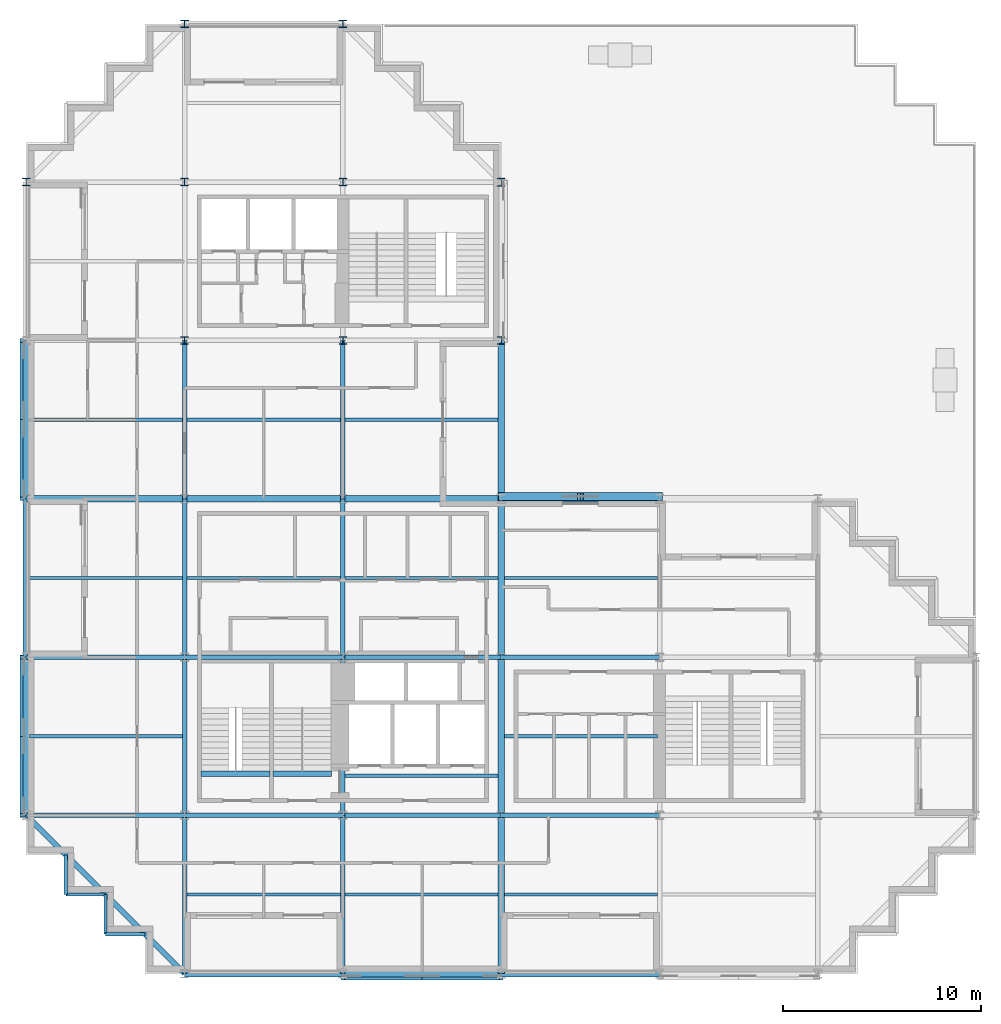
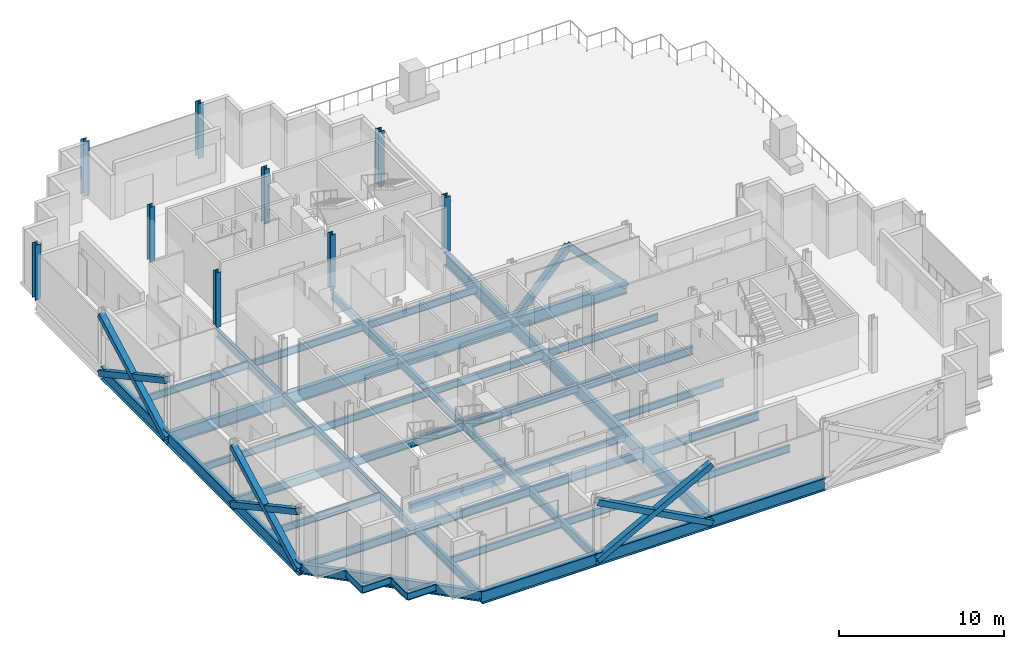
# One storey, part 2 of 12: 50 beams, 9 columns, 8 members.
"""IFC4 building model written with IfcOpenShell, lengths in metres."""

from ifc_helpers import new_model, si_unit, direction, frame, origin, origin_2d, place, context, subcontext, project, spatial, rectangle, hollow_rectangle, i_section, extrude, material, material_profile, profile_set, type_object, element, save


model = new_model("IFC4")

# Units and contexts
model_context = context("Model", 3, precision=1e-05, world=origin(), true_north=direction((0.0, 1.0)))
body_context = subcontext(model_context, "Body", "Model", "MODEL_VIEW")
ifc_project = project(units=[si_unit("LENGTHUNIT", "METRE"), si_unit("AREAUNIT", "SQUARE_METRE"), si_unit("VOLUMEUNIT", "CUBIC_METRE"), si_unit("PLANEANGLEUNIT", "RADIAN"), si_unit("MASSUNIT", "GRAM", prefix="KILO")], contexts=[model_context])

# Site, building, storey
site_placement = place(None, origin())
site = spatial("IfcSite", under=ifc_project, at=site_placement, CompositionType="ELEMENT")
building_placement = place(site_placement, origin())
building = spatial("IfcBuilding", under=site, at=building_placement, Name="Immortelle Media Tower", CompositionType="ELEMENT")
storey_placement = place(building_placement, frame((0.0, 0.0, 120.0)))
storey = spatial("IfcBuildingStorey", under=building, at=storey_placement, Name="L23", CompositionType="ELEMENT", Elevation=120.0)

# Columns
ifc_material_1 = material(Name="Steel ASTM A992 Gr 50", Category="steel")
ifc_material_profile_1 = material_profile(ifc_material_1, i_section(OverallWidth=0.373046875, OverallDepth=0.367919921875, WebThickness=0.014892578125, FlangeThickness=0.02392578125, at=origin_2d()), Name="W14x120")
ifc_profile_set_1 = profile_set([ifc_material_profile_1], Name="Steel ASTM A992 Gr 50")
column_type_1 = type_object("IfcColumnType", Name="W14x120 column", PredefinedType="COLUMN", material=ifc_profile_set_1)
for number, where, z_axis, x_axis, name in (
    (1, (8.0, 32.0, 0.0), (0.0, 0.0, 1.0), (1.0, 0.0, 0.0), "Column 2/E"),
    (2, (8.0, 40.0, 0.0), (0.0, 0.0, 1.0), (1.0, 0.0, 0.0), "Column 2/F"),
    (3, (16.0, 32.0, 0.0), (0.0, 0.0, 1.0), (1.0, 0.0, 0.0), "Column 3/E"),
    (4, (16.0, 40.0, 0.0), (0.0, 0.0, 1.0), (1.0, 0.0, 0.0), "Column 3/F"),
):
    element("IfcColumn", number, at=place(storey_placement, frame(where, z_axis=z_axis, x_axis=x_axis)), inside=storey, type_object=column_type_1, Name=name, PredefinedType="COLUMN", context=body_context, shape_type="SweptSolid", body=[
        extrude(i_section(OverallWidth=0.373046875, OverallDepth=0.367919921875, WebThickness=0.014892578125, FlangeThickness=0.02392578125, at=origin_2d()), origin(), (0.0, 0.0, 1.0), 4.050048828125),
    ])
ifc_material_profile_2 = material_profile(ifc_material_1, i_section(OverallWidth=0.39892578125, OverallDepth=0.385986328125, WebThickness=0.02099609375, FlangeThickness=0.032958984375, at=origin_2d()), Name="W14x176")
ifc_profile_set_2 = profile_set([ifc_material_profile_2], Name="Steel ASTM A992 Gr 50")
column_type_2 = type_object("IfcColumnType", Name="W14x176 column", PredefinedType="COLUMN", material=ifc_profile_set_2)
for number, where, z_axis, x_axis, name in (
    (5, (0.0, 40.0, 0.0), (0.0, 0.0, 1.0), (1.0, 0.0, 0.0), "Column 1/F"),
    (6, (8.0, 48.0, 0.0), (0.0, 0.0, 1.0), (1.0, 0.0, 0.0), "Column 2/G"),
    (7, (16.0, 48.0, 0.0), (0.0, 0.0, 1.0), (1.0, 0.0, 0.0), "Column 3/G"),
):
    element("IfcColumn", number, at=place(storey_placement, frame(where, z_axis=z_axis, x_axis=x_axis)), inside=storey, type_object=column_type_2, Name=name, PredefinedType="COLUMN", context=body_context, shape_type="SweptSolid", body=[
        extrude(i_section(OverallWidth=0.39892578125, OverallDepth=0.385986328125, WebThickness=0.02099609375, FlangeThickness=0.032958984375, at=origin_2d()), origin(), (0.0, 0.0, 1.0), 4.050048828125),
    ])
ifc_material_profile_3 = material_profile(ifc_material_1, i_section(OverallWidth=0.406005859375, OverallDepth=0.4169921875, WebThickness=0.030029296875, FlangeThickness=0.048095703125, at=origin_2d()), Name="W14x257")
ifc_profile_set_3 = profile_set([ifc_material_profile_3], Name="Steel ASTM A992 Gr 50")
column_type_3 = type_object("IfcColumnType", Name="W14x257 column", PredefinedType="COLUMN", material=ifc_profile_set_3)
for number, where, z_axis, x_axis, name in (
    (8, (24.0, 32.0, 0.0), (0.0, 0.0, 1.0), (1.0, 0.0, 0.0), "Column 4/E"),
    (9, (24.0, 40.0, 0.0), (0.0, 0.0, 1.0), (1.0, 0.0, 0.0), "Column 4/F"),
):
    element("IfcColumn", number, at=place(storey_placement, frame(where, z_axis=z_axis, x_axis=x_axis)), inside=storey, type_object=column_type_3, Name=name, PredefinedType="COLUMN", context=body_context, shape_type="SweptSolid", body=[
        extrude(i_section(OverallWidth=0.406005859375, OverallDepth=0.4169921875, WebThickness=0.030029296875, FlangeThickness=0.048095703125, at=origin_2d()), origin(), (0.0, 0.0, 1.0), 4.050048828125),
    ])

# Members
ifc_material_2 = material(Name="Steel ASTM A500 Gr C", Category="steel")
ifc_material_profile_4 = material_profile(ifc_material_2, hollow_rectangle(XDim=0.406005859375, YDim=0.406005859375, WallThickness=0.011962890625, at=origin_2d()), Name="HSS16x16x1/2 brace")
ifc_profile_set_4 = profile_set([ifc_material_profile_4], Name="Steel ASTM A500 Gr C")
member_type = type_object("IfcMemberType", Name="HSS16x16x1/2 brace", PredefinedType="BRACE", material=ifc_profile_set_4)
for number, where, z_axis, x_axis, name in (
    (10, (16.0, -0.113037109375, -0.613525390625), (0.880036960402, 0.0, 0.474905199304), (0.0, 1.0, 0.0), "Brace A/3-4 A"),
    (11, (16.0, -0.113037109375, 3.70361328125), (0.880036960402, 0.0, -0.474905199304), (0.0, 1.0, 0.0), "Brace A/3-4 B"),
):
    element("IfcMember", number, at=place(storey_placement, frame(where, z_axis=z_axis, x_axis=x_axis)), inside=storey, type_object=member_type, Name=name, PredefinedType="BRACE", context=body_context, shape_type="SweptSolid", body=[
        extrude(hollow_rectangle(XDim=0.406005859375, YDim=0.406005859375, WallThickness=0.011962890625, at=origin_2d()), origin(), (0.0, 0.0, 1.0), 9.090576171875),
    ])
for number, where, z_axis, x_axis, name in (
    (12, (32.0, 24.113037109375, -0.613525390625), (-0.67965036414, 0.0, 0.733536217596), (0.0, -1.0, 0.0), "Brace D/4-5 A"),
    (13, (24.0, 24.113037109375, -0.613525390625), (0.67965036414, 0.0, 0.733536217596), (0.0, 1.0, 0.0), "Brace D/4-5 B"),
):
    element("IfcMember", number, at=place(storey_placement, frame(where, z_axis=z_axis, x_axis=x_axis)), inside=storey, type_object=member_type, Name=name, PredefinedType="BRACE", context=body_context, shape_type="SweptSolid", body=[
        extrude(hollow_rectangle(XDim=0.406005859375, YDim=0.406005859375, WallThickness=0.011962890625, at=origin_2d()), origin(), (0.0, 0.0, 1.0), 5.885498046875),
    ])
for number, where, z_axis, x_axis, name in (
    (14, (-0.113037109375, 32.0, -0.613525390625), (0.0, -0.880036960402, 0.474905199304), (1.0, 0.0, 0.0), "Brace 1/D-E A"),
    (15, (-0.113037109375, 32.0, 3.70361328125), (0.0, -0.880036960402, -0.474905199304), (1.0, 0.0, 0.0), "Brace 1/D-E B"),
    (16, (-0.113037109375, 16.0, -0.613525390625), (0.0, -0.880036960402, 0.474905199304), (1.0, 0.0, 0.0), "Brace 1/B-C A"),
    (17, (-0.113037109375, 16.0, 3.70361328125), (0.0, -0.880036960402, -0.474905199304), (1.0, 0.0, 0.0), "Brace 1/B-C B"),
):
    element("IfcMember", number, at=place(storey_placement, frame(where, z_axis=z_axis, x_axis=x_axis)), inside=storey, type_object=member_type, Name=name, PredefinedType="BRACE", context=body_context, shape_type="SweptSolid", body=[
        extrude(hollow_rectangle(XDim=0.406005859375, YDim=0.406005859375, WallThickness=0.011962890625, at=origin_2d()), origin(), (0.0, 0.0, 1.0), 9.090576171875),
    ])

# Beams
ifc_material_3 = material(Name="Concrete C50/60", Category="concrete")
ifc_material_profile_5 = material_profile(ifc_material_3, rectangle(XDim=0.300048828125, YDim=0.699951171875, at=origin_2d()), Name="RC 300x700")
ifc_profile_set_5 = profile_set([ifc_material_profile_5], Name="Concrete C50/60")
beam_type_1 = type_object("IfcBeamType", Name="Stair trimmer beam 300 x 700", PredefinedType="BEAM", material=ifc_profile_set_5)
beam_1_placement = place(storey_placement, frame((8.830078125, 10.10498046875, -0.5), z_axis=(1.0, 0.0, 0.0), x_axis=(0.0, 1.0, 0.0)))
element("IfcBeam", 18, at=beam_1_placement, inside=storey, type_object=beam_type_1, Name="Stair trimmer beam SW1", PredefinedType="BEAM", context=body_context, shape_type="SweptSolid", body=[
    extrude(rectangle(XDim=0.300048828125, YDim=0.699951171875, at=origin_2d()), origin(), (0.0, 0.0, 1.0), 3.489990234375),
])
beam_2_placement = place(storey_placement, frame((12.47998046875, 10.10498046875, -0.5), z_axis=(1.0, 0.0, 0.0), x_axis=(0.0, 1.0, 0.0)))
element("IfcBeam", 19, at=beam_2_placement, inside=storey, type_object=beam_type_1, Name="Stair trimmer beam SW2", PredefinedType="BEAM", context=body_context, shape_type="SweptSolid", body=[
    extrude(rectangle(XDim=0.300048828125, YDim=0.699951171875, at=origin_2d()), origin(), (0.0, 0.0, 1.0), 2.93994140625),
])
ifc_material_profile_6 = material_profile(ifc_material_1, i_section(OverallWidth=0.1650390625, OverallDepth=0.52587890625, WebThickness=0.009033203125, FlangeThickness=0.010986328125, at=origin_2d()), Name="W21x44")
ifc_profile_set_6 = profile_set([ifc_material_profile_6], Name="Steel ASTM A992 Gr 50")
beam_type_2 = type_object("IfcBeamType", Name="W21x44 secondary beam", PredefinedType="JOIST", material=ifc_profile_set_6)
beam_3_placement = place(storey_placement, frame((8.114501953125, 4.0, -0.4130859375), z_axis=(1.0, 0.0, 0.0), x_axis=(0.0, 1.0, 0.0)))
element("IfcBeam", 20, at=beam_3_placement, inside=storey, type_object=beam_type_2, Name="Beam A-B/2-3", PredefinedType="JOIST", context=body_context, shape_type="SweptSolid", body=[
    extrude(i_section(OverallWidth=0.1650390625, OverallDepth=0.52587890625, WebThickness=0.009033203125, FlangeThickness=0.010986328125, at=origin_2d()), origin(), (0.0, 0.0, 1.0), 7.77099609375),
])
for number, where, z_axis, x_axis, name in (
    (21, (16.114501953125, 4.0, -0.4130859375), (1.0, 0.0, 0.0), (0.0, 1.0, 0.0), "Beam A-B/3-4"),
    (22, (24.153564453125, 4.0, -0.4130859375), (1.0, 0.0, 0.0), (0.0, 1.0, 0.0), "Beam A-B/4-5"),
    (23, (0.153564453125, 12.0, -0.4130859375), (1.0, 0.0, 0.0), (0.0, 1.0, 0.0), "Beam B-C/1-2"),
    (24, (16.114501953125, 10.0, -0.4130859375), (1.0, 0.0, 0.0), (0.0, 1.0, 0.0), "Beam B-C/3-4"),
    (25, (24.153564453125, 12.0, -0.4130859375), (1.0, 0.0, 0.0), (0.0, 1.0, 0.0), "Beam B-C/4-5"),
    (26, (0.153564453125, 20.0, -0.4130859375), (1.0, 0.0, 0.0), (0.0, 1.0, 0.0), "Beam C-D/1-2"),
):
    element("IfcBeam", number, at=place(storey_placement, frame(where, z_axis=z_axis, x_axis=x_axis)), inside=storey, type_object=beam_type_2, Name=name, PredefinedType="JOIST", context=body_context, shape_type="SweptSolid", body=[
        extrude(i_section(OverallWidth=0.1650390625, OverallDepth=0.52587890625, WebThickness=0.009033203125, FlangeThickness=0.010986328125, at=origin_2d()), origin(), (0.0, 0.0, 1.0), 7.73193359375),
    ])
beam_4_placement = place(storey_placement, frame((8.114501953125, 20.0, -0.4130859375), z_axis=(1.0, 0.0, 0.0), x_axis=(0.0, 1.0, 0.0)))
element("IfcBeam", 27, at=beam_4_placement, inside=storey, type_object=beam_type_2, Name="Beam C-D/2-3", PredefinedType="JOIST", context=body_context, shape_type="SweptSolid", body=[
    extrude(i_section(OverallWidth=0.1650390625, OverallDepth=0.52587890625, WebThickness=0.009033203125, FlangeThickness=0.010986328125, at=origin_2d()), origin(), (0.0, 0.0, 1.0), 7.77099609375),
])
for number, where, z_axis, x_axis, name in (
    (28, (16.114501953125, 20.0, -0.4130859375), (1.0, 0.0, 0.0), (0.0, 1.0, 0.0), "Beam C-D/3-4"),
    (29, (24.153564453125, 20.0, -0.4130859375), (1.0, 0.0, 0.0), (0.0, 1.0, 0.0), "Beam C-D/4-5"),
    (30, (0.153564453125, 28.0, -0.4130859375), (1.0, 0.0, 0.0), (0.0, 1.0, 0.0), "Beam D-E/1-2"),
):
    element("IfcBeam", number, at=place(storey_placement, frame(where, z_axis=z_axis, x_axis=x_axis)), inside=storey, type_object=beam_type_2, Name=name, PredefinedType="JOIST", context=body_context, shape_type="SweptSolid", body=[
        extrude(i_section(OverallWidth=0.1650390625, OverallDepth=0.52587890625, WebThickness=0.009033203125, FlangeThickness=0.010986328125, at=origin_2d()), origin(), (0.0, 0.0, 1.0), 7.73193359375),
    ])
beam_5_placement = place(storey_placement, frame((8.114501953125, 28.0, -0.4130859375), z_axis=(1.0, 0.0, 0.0), x_axis=(0.0, 1.0, 0.0)))
element("IfcBeam", 31, at=beam_5_placement, inside=storey, type_object=beam_type_2, Name="Beam D-E/2-3", PredefinedType="JOIST", context=body_context, shape_type="SweptSolid", body=[
    extrude(i_section(OverallWidth=0.1650390625, OverallDepth=0.52587890625, WebThickness=0.009033203125, FlangeThickness=0.010986328125, at=origin_2d()), origin(), (0.0, 0.0, 1.0), 7.77099609375),
])
beam_6_placement = place(storey_placement, frame((16.114501953125, 28.0, -0.4130859375), z_axis=(1.0, 0.0, 0.0), x_axis=(0.0, 1.0, 0.0)))
element("IfcBeam", 32, at=beam_6_placement, inside=storey, type_object=beam_type_2, Name="Beam D-E/3-4", PredefinedType="JOIST", context=body_context, shape_type="SweptSolid", body=[
    extrude(i_section(OverallWidth=0.1650390625, OverallDepth=0.52587890625, WebThickness=0.009033203125, FlangeThickness=0.010986328125, at=origin_2d()), origin(), (0.0, 0.0, 1.0), 7.73193359375),
])
ifc_material_profile_7 = material_profile(ifc_material_1, i_section(OverallWidth=0.1650390625, OverallDepth=0.52587890625, WebThickness=0.009033203125, FlangeThickness=0.010986328125, at=origin_2d()), Name="W21x44")
ifc_profile_set_7 = profile_set([ifc_material_profile_7], Name="Steel ASTM A992 Gr 50")
beam_type_3 = type_object("IfcBeamType", Name="W21x44 serration edge beam", PredefinedType="SPANDREL", material=ifc_profile_set_7)
for number, where, z_axis, x_axis, name in (
    (33, (6.0, 2.0, -0.4130859375), (-1.0, 0.0, 0.0), (0.0, -1.0, 0.0), "Corner edge beam 1 at 1/A"),
    (34, (4.0, 2.0, -0.4130859375), (0.0, 1.0, 0.0), (-1.0, 0.0, 0.0), "Corner edge beam 2 at 1/A"),
    (35, (4.0, 4.0, -0.4130859375), (-1.0, 0.0, 0.0), (0.0, -1.0, 0.0), "Corner edge beam 3 at 1/A"),
    (36, (2.0, 4.0, -0.4130859375), (0.0, 1.0, 0.0), (-1.0, 0.0, 0.0), "Corner edge beam 4 at 1/A"),
):
    element("IfcBeam", number, at=place(storey_placement, frame(where, z_axis=z_axis, x_axis=x_axis)), inside=storey, type_object=beam_type_3, Name=name, PredefinedType="SPANDREL", context=body_context, shape_type="SweptSolid", body=[
        extrude(i_section(OverallWidth=0.1650390625, OverallDepth=0.52587890625, WebThickness=0.009033203125, FlangeThickness=0.010986328125, at=origin_2d()), origin(), (0.0, 0.0, 1.0), 2.0),
    ])
ifc_material_profile_8 = material_profile(ifc_material_1, i_section(OverallWidth=0.22900390625, OverallDepth=0.612060546875, WebThickness=0.011962890625, FlangeThickness=0.02001953125, at=origin_2d()), Name="W24x84")
ifc_profile_set_8 = profile_set([ifc_material_profile_8], Name="Steel ASTM A992 Gr 50")
beam_type_4 = type_object("IfcBeamType", Name="W24x84 girder", PredefinedType="BEAM", material=ifc_profile_set_8)
for number, where, z_axis, x_axis, name in (
    (37, (0.0, 8.0, -0.4560546875), (1.0, 0.0, 0.0), (0.0, 1.0, 0.0), "Girder B/1-2"),
    (38, (0.0, 16.0, -0.4560546875), (1.0, 0.0, 0.0), (0.0, 1.0, 0.0), "Girder C/1-2"),
    (39, (8.0, 0.0, -0.4560546875), (0.0, 1.0, 0.0), (-1.0, 0.0, 0.0), "Girder 2/A-B"),
    (40, (8.0, 8.0, -0.4560546875), (1.0, 0.0, 0.0), (0.0, 1.0, 0.0), "Girder B/2-3"),
    (41, (8.0, 8.0, -0.4560546875), (0.0, 1.0, 0.0), (-1.0, 0.0, 0.0), "Girder 2/B-C"),
    (42, (8.0, 16.0, -0.4560546875), (1.0, 0.0, 0.0), (0.0, 1.0, 0.0), "Girder C/2-3"),
    (43, (8.0, 16.0, -0.4560546875), (0.0, 1.0, 0.0), (-1.0, 0.0, 0.0), "Girder 2/C-D"),
    (44, (8.0, 24.0, -0.4560546875), (0.0, 1.0, 0.0), (-1.0, 0.0, 0.0), "Girder 2/D-E"),
    (45, (16.0, 0.0, -0.4560546875), (0.0, 1.0, 0.0), (-1.0, 0.0, 0.0), "Girder 3/A-B"),
    (46, (16.0, 8.0, -0.4560546875), (1.0, 0.0, 0.0), (0.0, 1.0, 0.0), "Girder B/3-4"),
    (47, (16.0, 8.0, -0.4560546875), (0.0, 1.0, 0.0), (-1.0, 0.0, 0.0), "Girder 3/B-C"),
    (48, (16.0, 16.0, -0.4560546875), (1.0, 0.0, 0.0), (0.0, 1.0, 0.0), "Girder C/3-4"),
    (49, (16.0, 16.0, -0.4560546875), (0.0, 1.0, 0.0), (-1.0, 0.0, 0.0), "Girder 3/C-D"),
    (50, (16.0, 24.0, -0.4560546875), (0.0, 1.0, 0.0), (-1.0, 0.0, 0.0), "Girder 3/D-E"),
    (51, (24.0, 8.0, -0.4560546875), (1.0, 0.0, 0.0), (0.0, 1.0, 0.0), "Girder B/4-5"),
    (52, (24.0, 16.0, -0.4560546875), (1.0, 0.0, 0.0), (0.0, 1.0, 0.0), "Girder C/4-5"),
):
    element("IfcBeam", number, at=place(storey_placement, frame(where, z_axis=z_axis, x_axis=x_axis)), inside=storey, type_object=beam_type_4, Name=name, PredefinedType="BEAM", context=body_context, shape_type="SweptSolid", body=[
        extrude(i_section(OverallWidth=0.22900390625, OverallDepth=0.612060546875, WebThickness=0.011962890625, FlangeThickness=0.02001953125, at=origin_2d()), origin(), (0.0, 0.0, 1.0), 8.0),
    ])
ifc_material_profile_9 = material_profile(ifc_material_1, i_section(OverallWidth=0.26708984375, OverallDepth=0.761962890625, WebThickness=0.013916015625, FlangeThickness=0.02197265625, at=origin_2d()), Name="W30x116")
ifc_profile_set_9 = profile_set([ifc_material_profile_9], Name="Steel ASTM A992 Gr 50")
beam_type_5 = type_object("IfcBeamType", Name="W30x116 corner girder", PredefinedType="SPANDREL", material=ifc_profile_set_9)
beam_7_placement = place(storey_placement, frame((8.0, 0.0, -0.531005859375), z_axis=(-0.707106781187, 0.707106781187, 0.0), x_axis=(-0.707106781187, -0.707106781187, 0.0)))
element("IfcBeam", 53, at=beam_7_placement, inside=storey, type_object=beam_type_5, Name="Corner girder at 1/A", PredefinedType="SPANDREL", context=body_context, shape_type="SweptSolid", body=[
    extrude(i_section(OverallWidth=0.26708984375, OverallDepth=0.761962890625, WebThickness=0.013916015625, FlangeThickness=0.02197265625, at=origin_2d()), origin(), (0.0, 0.0, 1.0), 11.313720703125),
])
ifc_material_profile_10 = material_profile(ifc_material_1, i_section(OverallWidth=0.306884765625, OverallDepth=0.927001953125, WebThickness=0.01904296875, FlangeThickness=0.031982421875, at=origin_2d()), Name="W36x194")
ifc_profile_set_10 = profile_set([ifc_material_profile_10], Name="Steel ASTM A992 Gr 50")
beam_type_6 = type_object("IfcBeamType", Name="W36x194 perimeter girder", PredefinedType="SPANDREL", material=ifc_profile_set_10)
for number, where, z_axis, x_axis, name in (
    (54, (0.0, 8.0, -0.613525390625), (0.0, 1.0, 0.0), (-1.0, 0.0, 0.0), "Girder 1/B-C"),
    (55, (0.0, 16.0, -0.613525390625), (0.0, 1.0, 0.0), (-1.0, 0.0, 0.0), "Girder 1/C-D"),
    (56, (0.0, 24.0, -0.613525390625), (1.0, 0.0, 0.0), (0.0, 1.0, 0.0), "Girder D/1-2"),
    (57, (0.0, 24.0, -0.613525390625), (0.0, 1.0, 0.0), (-1.0, 0.0, 0.0), "Girder 1/D-E"),
    (58, (8.0, 0.0, -0.613525390625), (1.0, 0.0, 0.0), (0.0, 1.0, 0.0), "Girder A/2-3"),
    (59, (8.0, 24.0, -0.613525390625), (1.0, 0.0, 0.0), (0.0, 1.0, 0.0), "Girder D/2-3"),
    (60, (16.0, 0.0, -0.613525390625), (1.0, 0.0, 0.0), (0.0, 1.0, 0.0), "Girder A/3-4"),
    (61, (16.0, 24.0, -0.613525390625), (1.0, 0.0, 0.0), (0.0, 1.0, 0.0), "Girder D/3-4"),
    (62, (24.0, 0.0, -0.613525390625), (1.0, 0.0, 0.0), (0.0, 1.0, 0.0), "Girder A/4-5"),
    (63, (24.0, 0.0, -0.613525390625), (0.0, 1.0, 0.0), (-1.0, 0.0, 0.0), "Girder 4/A-B"),
    (64, (24.0, 8.0, -0.613525390625), (0.0, 1.0, 0.0), (-1.0, 0.0, 0.0), "Girder 4/B-C"),
    (65, (24.0, 16.0, -0.613525390625), (0.0, 1.0, 0.0), (-1.0, 0.0, 0.0), "Girder 4/C-D"),
    (66, (24.0, 24.0, -0.613525390625), (1.0, 0.0, 0.0), (0.0, 1.0, 0.0), "Girder D/4-5"),
    (67, (24.0, 24.0, -0.613525390625), (0.0, 1.0, 0.0), (-1.0, 0.0, 0.0), "Girder 4/D-E"),
):
    element("IfcBeam", number, at=place(storey_placement, frame(where, z_axis=z_axis, x_axis=x_axis)), inside=storey, type_object=beam_type_6, Name=name, PredefinedType="SPANDREL", context=body_context, shape_type="SweptSolid", body=[
        extrude(i_section(OverallWidth=0.306884765625, OverallDepth=0.927001953125, WebThickness=0.01904296875, FlangeThickness=0.031982421875, at=origin_2d()), origin(), (0.0, 0.0, 1.0), 8.0),
    ])

save(model, "model.ifc")
